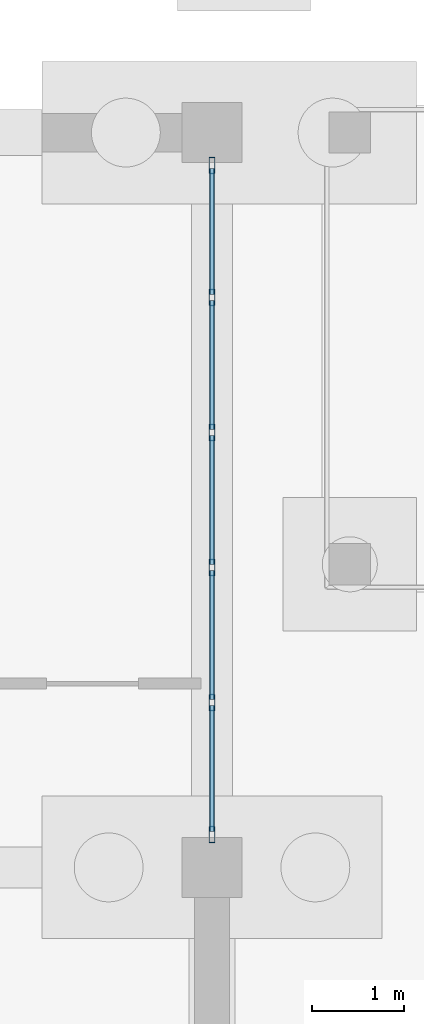
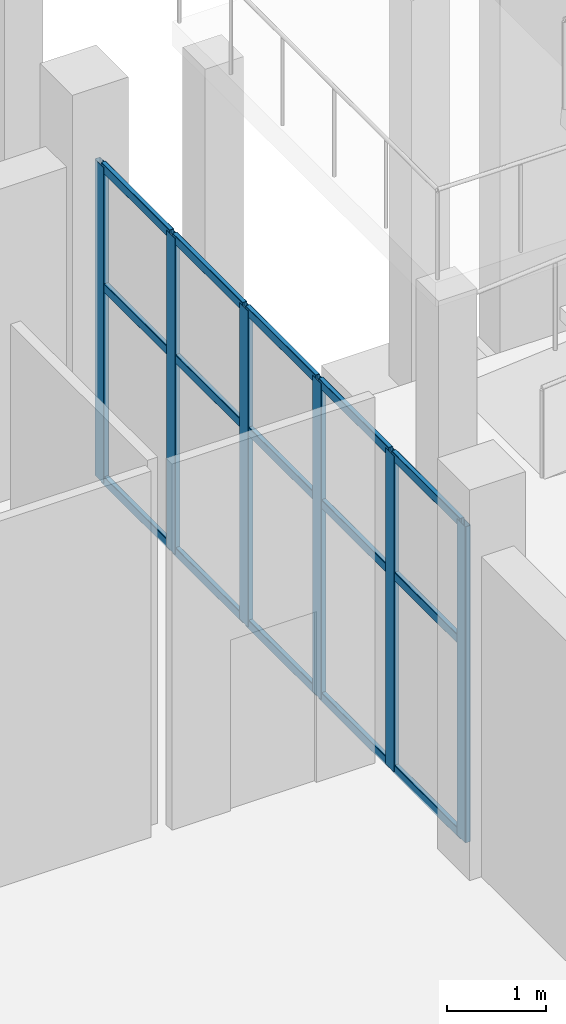
# One storey, part 19 of 52: 21 members, 1 element without a shape of its own.
"""IFC4 building model written with IfcOpenShell, lengths in metres."""

from ifc_helpers import new_model, si_unit, direction, frame, origin, origin_2d, place, context, subcontext, project, spatial, hollow_rectangle, extrude, material, material_profile, profile_set, type_object, element, aggregate, save


model = new_model("IFC4")

# Units and contexts
model_context = context("Model", 3, precision=1e-05, world=origin(), true_north=direction((0.0, 1.0)))
body_context = subcontext(model_context, "Body", "Model", "MODEL_VIEW")
ifc_project = project(units=[si_unit("LENGTHUNIT", "METRE"), si_unit("AREAUNIT", "SQUARE_METRE"), si_unit("VOLUMEUNIT", "CUBIC_METRE"), si_unit("PLANEANGLEUNIT", "RADIAN"), si_unit("MASSUNIT", "GRAM", prefix="KILO")], contexts=[model_context])

# Site, building, storey
site_placement = place(None, origin())
site = spatial("IfcSite", under=ifc_project, at=site_placement, CompositionType="ELEMENT")
building_placement = place(site_placement, origin())
building = spatial("IfcBuilding", under=site, at=building_placement, Name="Luwemba Playhouse", CompositionType="ELEMENT")
storey_placement = place(building_placement, frame((0.0, 0.0, -4.800048828125)))
storey = spatial("IfcBuildingStorey", under=building, at=storey_placement, Name="B1", CompositionType="ELEMENT", Elevation=-4.800048828125)

# Curtain wall, members
ifc_material_1 = material(Name="Solar-control double glazing", Category="glass")
curtain_wall_type = type_object("IfcCurtainWallType", Name="CW-CW01", PredefinedType="USERDEFINED", material=ifc_material_1)
curtain_wall_placement = place(storey_placement, origin())
curtain_wall = element("IfcCurtainWall", 1, at=curtain_wall_placement, inside=storey, type_object=curtain_wall_type, Name="B1 Sunken Forecourt curtain wall 001", ObjectType="UNITISED GLAZING", PredefinedType="USERDEFINED")
ifc_material_2 = material(Name="Aluminium 6063-T6", Category="aluminium")
ifc_material_profile_1 = material_profile(ifc_material_2, hollow_rectangle(XDim=0.06494140625, YDim=0.179931640625, WallThickness=0.00439453125, InnerFilletRadius=0.0068359375, OuterFilletRadius=0.01123046875, at=origin_2d()))
ifc_profile_set_1 = profile_set([ifc_material_profile_1], Name="Aluminium 6063-T6")
member_type_1 = type_object("IfcMemberType", Name="CWM-M2", PredefinedType="MULLION", material=ifc_profile_set_1)
member_1_placement = place(storey_placement, frame((60.0, 26.642578125, 0.0), z_axis=(0.0, 0.0, 1.0), x_axis=(1.0, 0.0, 0.0)))
member_1 = element("IfcMember", 2, at=member_1_placement, type_object=member_type_1, Name="CW01 mullion 1", PredefinedType="MULLION", context=body_context, shape_type="SweptSolid", body=[
    extrude(hollow_rectangle(XDim=0.06494140625, YDim=0.179931640625, WallThickness=0.00439453125, InnerFilletRadius=0.0068359375, OuterFilletRadius=0.01123046875, at=origin_2d()), origin(), (0.0, 0.0, 1.0), 3.885009765625),
])
member_2_placement = place(storey_placement, frame((60.0, 25.205078125, 0.0), z_axis=(0.0, 0.0, 1.0), x_axis=(1.0, 0.0, 0.0)))
member_2 = element("IfcMember", 3, at=member_2_placement, type_object=member_type_1, Name="CW01 mullion 2", PredefinedType="MULLION", context=body_context, shape_type="SweptSolid", body=[
    extrude(hollow_rectangle(XDim=0.06494140625, YDim=0.179931640625, WallThickness=0.00439453125, InnerFilletRadius=0.0068359375, OuterFilletRadius=0.01123046875, at=origin_2d()), origin(), (0.0, 0.0, 1.0), 3.885009765625),
])
member_3_placement = place(storey_placement, frame((60.0, 23.735107421875, 0.0), z_axis=(0.0, 0.0, 1.0), x_axis=(1.0, 0.0, 0.0)))
member_3 = element("IfcMember", 4, at=member_3_placement, type_object=member_type_1, Name="CW01 mullion 3", PredefinedType="MULLION", context=body_context, shape_type="SweptSolid", body=[
    extrude(hollow_rectangle(XDim=0.06494140625, YDim=0.179931640625, WallThickness=0.00439453125, InnerFilletRadius=0.0068359375, OuterFilletRadius=0.01123046875, at=origin_2d()), origin(), (0.0, 0.0, 1.0), 3.885009765625),
])
member_4_placement = place(storey_placement, frame((60.0, 22.264892578125, 0.0), z_axis=(0.0, 0.0, 1.0), x_axis=(1.0, 0.0, 0.0)))
member_4 = element("IfcMember", 5, at=member_4_placement, type_object=member_type_1, Name="CW01 mullion 4", PredefinedType="MULLION", context=body_context, shape_type="SweptSolid", body=[
    extrude(hollow_rectangle(XDim=0.06494140625, YDim=0.179931640625, WallThickness=0.00439453125, InnerFilletRadius=0.0068359375, OuterFilletRadius=0.01123046875, at=origin_2d()), origin(), (0.0, 0.0, 1.0), 3.885009765625),
])
member_5_placement = place(storey_placement, frame((60.0, 20.794921875, 0.0), z_axis=(0.0, 0.0, 1.0), x_axis=(1.0, 0.0, 0.0)))
member_5 = element("IfcMember", 6, at=member_5_placement, type_object=member_type_1, Name="CW01 mullion 5", PredefinedType="MULLION", context=body_context, shape_type="SweptSolid", body=[
    extrude(hollow_rectangle(XDim=0.06494140625, YDim=0.179931640625, WallThickness=0.00439453125, InnerFilletRadius=0.0068359375, OuterFilletRadius=0.01123046875, at=origin_2d()), origin(), (0.0, 0.0, 1.0), 3.885009765625),
])
member_6_placement = place(storey_placement, frame((60.0, 19.357421875, 0.0), z_axis=(0.0, 0.0, 1.0), x_axis=(1.0, 0.0, 0.0)))
member_6 = element("IfcMember", 7, at=member_6_placement, type_object=member_type_1, Name="CW01 mullion 6", PredefinedType="MULLION", context=body_context, shape_type="SweptSolid", body=[
    extrude(hollow_rectangle(XDim=0.06494140625, YDim=0.179931640625, WallThickness=0.00439453125, InnerFilletRadius=0.0068359375, OuterFilletRadius=0.01123046875, at=origin_2d()), origin(), (0.0, 0.0, 1.0), 3.885009765625),
])
ifc_material_profile_2 = material_profile(ifc_material_2, hollow_rectangle(XDim=0.054931640625, YDim=0.110107421875, WallThickness=0.00341796875, InnerFilletRadius=0.00537109375, OuterFilletRadius=0.0087890625, at=origin_2d()))
ifc_profile_set_2 = profile_set([ifc_material_profile_2], Name="Aluminium 6063-T6")
member_type_2 = type_object("IfcMemberType", Name="CWT-T2", PredefinedType="USERDEFINED", material=ifc_profile_set_2)
member_7_placement = place(storey_placement, frame((60.0, 26.610107421875, 0.027587890625), z_axis=(0.0, -1.0, 0.0), x_axis=(1.0, 0.0, 0.0)))
member_7 = element("IfcMember", 8, at=member_7_placement, type_object=member_type_2, Name="CW01 transom 1.1", ObjectType="TRANSOM", PredefinedType="USERDEFINED", context=body_context, shape_type="SweptSolid", body=[
    extrude(hollow_rectangle(XDim=0.054931640625, YDim=0.110107421875, WallThickness=0.00341796875, InnerFilletRadius=0.00537109375, OuterFilletRadius=0.0087890625, at=origin_2d()), origin(), (0.0, 0.0, 1.0), 1.37255859375),
])
member_8_placement = place(storey_placement, frame((60.0, 26.610107421875, 2.400146484375), z_axis=(0.0, -1.0, 0.0), x_axis=(1.0, 0.0, 0.0)))
member_8 = element("IfcMember", 9, at=member_8_placement, type_object=member_type_2, Name="CW01 transom 1.2", ObjectType="TRANSOM", PredefinedType="USERDEFINED", context=body_context, shape_type="SweptSolid", body=[
    extrude(hollow_rectangle(XDim=0.054931640625, YDim=0.110107421875, WallThickness=0.00341796875, InnerFilletRadius=0.00537109375, OuterFilletRadius=0.0087890625, at=origin_2d()), origin(), (0.0, 0.0, 1.0), 1.37255859375),
])
member_9_placement = place(storey_placement, frame((60.0, 26.610107421875, 3.857666015625), z_axis=(0.0, -1.0, 0.0), x_axis=(1.0, 0.0, 0.0)))
member_9 = element("IfcMember", 10, at=member_9_placement, type_object=member_type_2, Name="CW01 transom 1.3", ObjectType="TRANSOM", PredefinedType="USERDEFINED", context=body_context, shape_type="SweptSolid", body=[
    extrude(hollow_rectangle(XDim=0.054931640625, YDim=0.110107421875, WallThickness=0.00341796875, InnerFilletRadius=0.00537109375, OuterFilletRadius=0.0087890625, at=origin_2d()), origin(), (0.0, 0.0, 1.0), 1.37255859375),
])
member_10_placement = place(storey_placement, frame((60.0, 25.172607421875, 0.027587890625), z_axis=(0.0, -1.0, 0.0), x_axis=(1.0, 0.0, 0.0)))
member_10 = element("IfcMember", 11, at=member_10_placement, type_object=member_type_2, Name="CW01 transom 2.1", ObjectType="TRANSOM", PredefinedType="USERDEFINED", context=body_context, shape_type="SweptSolid", body=[
    extrude(hollow_rectangle(XDim=0.054931640625, YDim=0.110107421875, WallThickness=0.00341796875, InnerFilletRadius=0.00537109375, OuterFilletRadius=0.0087890625, at=origin_2d()), origin(), (0.0, 0.0, 1.0), 1.405029296875),
])
member_11_placement = place(storey_placement, frame((60.0, 25.172607421875, 2.400146484375), z_axis=(0.0, -1.0, 0.0), x_axis=(1.0, 0.0, 0.0)))
member_11 = element("IfcMember", 12, at=member_11_placement, type_object=member_type_2, Name="CW01 transom 2.2", ObjectType="TRANSOM", PredefinedType="USERDEFINED", context=body_context, shape_type="SweptSolid", body=[
    extrude(hollow_rectangle(XDim=0.054931640625, YDim=0.110107421875, WallThickness=0.00341796875, InnerFilletRadius=0.00537109375, OuterFilletRadius=0.0087890625, at=origin_2d()), origin(), (0.0, 0.0, 1.0), 1.405029296875),
])
member_12_placement = place(storey_placement, frame((60.0, 25.172607421875, 3.857666015625), z_axis=(0.0, -1.0, 0.0), x_axis=(1.0, 0.0, 0.0)))
member_12 = element("IfcMember", 13, at=member_12_placement, type_object=member_type_2, Name="CW01 transom 2.3", ObjectType="TRANSOM", PredefinedType="USERDEFINED", context=body_context, shape_type="SweptSolid", body=[
    extrude(hollow_rectangle(XDim=0.054931640625, YDim=0.110107421875, WallThickness=0.00341796875, InnerFilletRadius=0.00537109375, OuterFilletRadius=0.0087890625, at=origin_2d()), origin(), (0.0, 0.0, 1.0), 1.405029296875),
])
member_13_placement = place(storey_placement, frame((60.0, 23.702392578125, 0.027587890625), z_axis=(0.0, -1.0, 0.0), x_axis=(1.0, 0.0, 0.0)))
member_13 = element("IfcMember", 14, at=member_13_placement, type_object=member_type_2, Name="CW01 transom 3.1", ObjectType="TRANSOM", PredefinedType="USERDEFINED", context=body_context, shape_type="SweptSolid", body=[
    extrude(hollow_rectangle(XDim=0.054931640625, YDim=0.110107421875, WallThickness=0.00341796875, InnerFilletRadius=0.00537109375, OuterFilletRadius=0.0087890625, at=origin_2d()), origin(), (0.0, 0.0, 1.0), 1.40478515625),
])
member_14_placement = place(storey_placement, frame((60.0, 23.702392578125, 2.400146484375), z_axis=(0.0, -1.0, 0.0), x_axis=(1.0, 0.0, 0.0)))
member_14 = element("IfcMember", 15, at=member_14_placement, type_object=member_type_2, Name="CW01 transom 3.2", ObjectType="TRANSOM", PredefinedType="USERDEFINED", context=body_context, shape_type="SweptSolid", body=[
    extrude(hollow_rectangle(XDim=0.054931640625, YDim=0.110107421875, WallThickness=0.00341796875, InnerFilletRadius=0.00537109375, OuterFilletRadius=0.0087890625, at=origin_2d()), origin(), (0.0, 0.0, 1.0), 1.40478515625),
])
member_15_placement = place(storey_placement, frame((60.0, 23.702392578125, 3.857666015625), z_axis=(0.0, -1.0, 0.0), x_axis=(1.0, 0.0, 0.0)))
member_15 = element("IfcMember", 16, at=member_15_placement, type_object=member_type_2, Name="CW01 transom 3.3", ObjectType="TRANSOM", PredefinedType="USERDEFINED", context=body_context, shape_type="SweptSolid", body=[
    extrude(hollow_rectangle(XDim=0.054931640625, YDim=0.110107421875, WallThickness=0.00341796875, InnerFilletRadius=0.00537109375, OuterFilletRadius=0.0087890625, at=origin_2d()), origin(), (0.0, 0.0, 1.0), 1.40478515625),
])
member_16_placement = place(storey_placement, frame((60.0, 22.232421875, 0.027587890625), z_axis=(0.0, -1.0, 0.0), x_axis=(1.0, 0.0, 0.0)))
member_16 = element("IfcMember", 17, at=member_16_placement, type_object=member_type_2, Name="CW01 transom 4.1", ObjectType="TRANSOM", PredefinedType="USERDEFINED", context=body_context, shape_type="SweptSolid", body=[
    extrude(hollow_rectangle(XDim=0.054931640625, YDim=0.110107421875, WallThickness=0.00341796875, InnerFilletRadius=0.00537109375, OuterFilletRadius=0.0087890625, at=origin_2d()), origin(), (0.0, 0.0, 1.0), 1.405029296875),
])
member_17_placement = place(storey_placement, frame((60.0, 22.232421875, 2.400146484375), z_axis=(0.0, -1.0, 0.0), x_axis=(1.0, 0.0, 0.0)))
member_17 = element("IfcMember", 18, at=member_17_placement, type_object=member_type_2, Name="CW01 transom 4.2", ObjectType="TRANSOM", PredefinedType="USERDEFINED", context=body_context, shape_type="SweptSolid", body=[
    extrude(hollow_rectangle(XDim=0.054931640625, YDim=0.110107421875, WallThickness=0.00341796875, InnerFilletRadius=0.00537109375, OuterFilletRadius=0.0087890625, at=origin_2d()), origin(), (0.0, 0.0, 1.0), 1.405029296875),
])
member_18_placement = place(storey_placement, frame((60.0, 22.232421875, 3.857666015625), z_axis=(0.0, -1.0, 0.0), x_axis=(1.0, 0.0, 0.0)))
member_18 = element("IfcMember", 19, at=member_18_placement, type_object=member_type_2, Name="CW01 transom 4.3", ObjectType="TRANSOM", PredefinedType="USERDEFINED", context=body_context, shape_type="SweptSolid", body=[
    extrude(hollow_rectangle(XDim=0.054931640625, YDim=0.110107421875, WallThickness=0.00341796875, InnerFilletRadius=0.00537109375, OuterFilletRadius=0.0087890625, at=origin_2d()), origin(), (0.0, 0.0, 1.0), 1.405029296875),
])
member_19_placement = place(storey_placement, frame((60.0, 20.762451171875, 0.027587890625), z_axis=(0.0, -1.0, 0.0), x_axis=(1.0, 0.0, 0.0)))
member_19 = element("IfcMember", 20, at=member_19_placement, type_object=member_type_2, Name="CW01 transom 5.1", ObjectType="TRANSOM", PredefinedType="USERDEFINED", context=body_context, shape_type="SweptSolid", body=[
    extrude(hollow_rectangle(XDim=0.054931640625, YDim=0.110107421875, WallThickness=0.00341796875, InnerFilletRadius=0.00537109375, OuterFilletRadius=0.0087890625, at=origin_2d()), origin(), (0.0, 0.0, 1.0), 1.37255859375),
])
member_20_placement = place(storey_placement, frame((60.0, 20.762451171875, 2.400146484375), z_axis=(0.0, -1.0, 0.0), x_axis=(1.0, 0.0, 0.0)))
member_20 = element("IfcMember", 21, at=member_20_placement, type_object=member_type_2, Name="CW01 transom 5.2", ObjectType="TRANSOM", PredefinedType="USERDEFINED", context=body_context, shape_type="SweptSolid", body=[
    extrude(hollow_rectangle(XDim=0.054931640625, YDim=0.110107421875, WallThickness=0.00341796875, InnerFilletRadius=0.00537109375, OuterFilletRadius=0.0087890625, at=origin_2d()), origin(), (0.0, 0.0, 1.0), 1.37255859375),
])
member_21_placement = place(storey_placement, frame((60.0, 20.762451171875, 3.857666015625), z_axis=(0.0, -1.0, 0.0), x_axis=(1.0, 0.0, 0.0)))
member_21 = element("IfcMember", 22, at=member_21_placement, type_object=member_type_2, Name="CW01 transom 5.3", ObjectType="TRANSOM", PredefinedType="USERDEFINED", context=body_context, shape_type="SweptSolid", body=[
    extrude(hollow_rectangle(XDim=0.054931640625, YDim=0.110107421875, WallThickness=0.00341796875, InnerFilletRadius=0.00537109375, OuterFilletRadius=0.0087890625, at=origin_2d()), origin(), (0.0, 0.0, 1.0), 1.37255859375),
])
aggregate(curtain_wall, [member_1, member_2, member_3, member_4, member_5, member_6, member_7, member_8, member_9, member_10, member_11, member_12, member_13, member_14, member_15, member_16, member_17, member_18, member_19, member_20, member_21])

save(model, "model.ifc")
